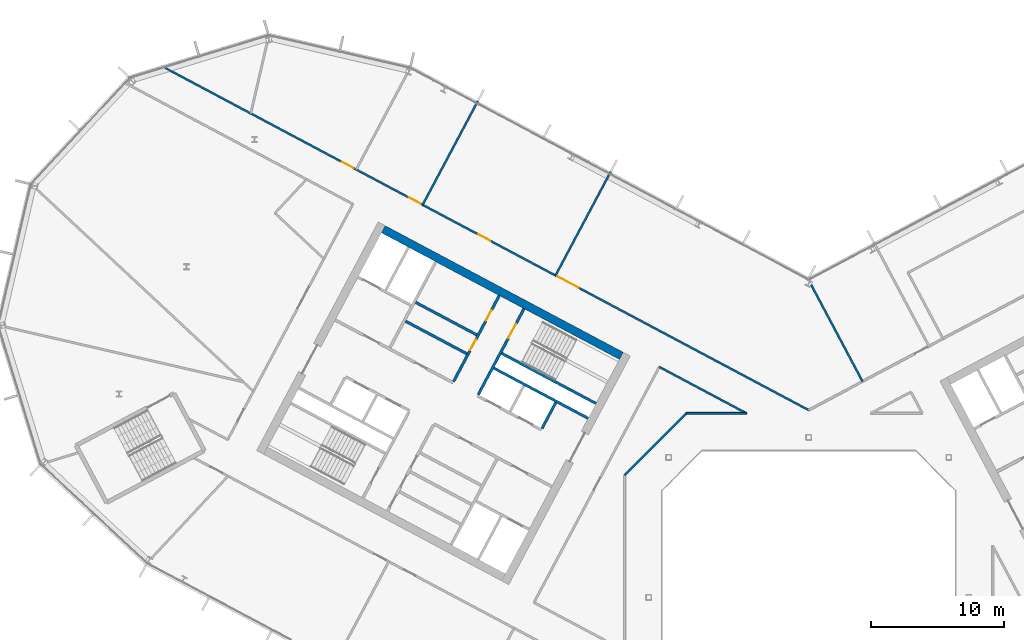
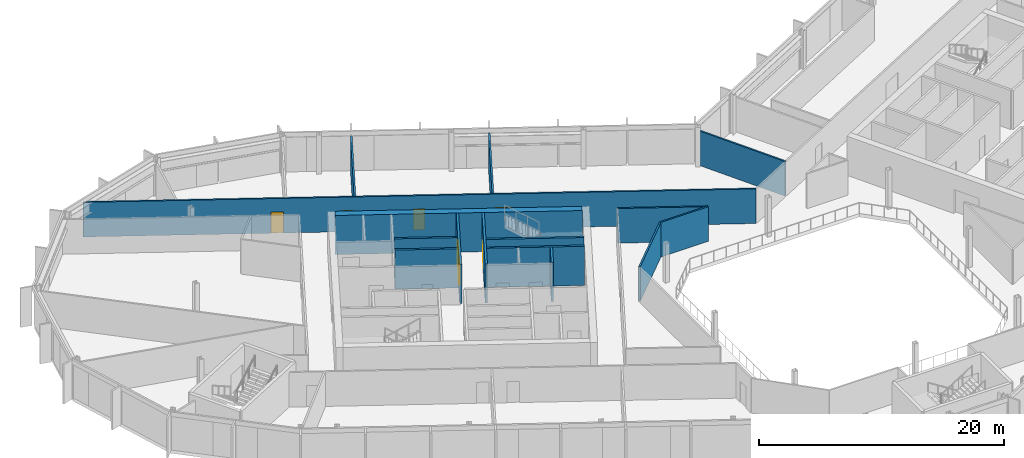
# One storey, part 14 of 26: 15 walls, 7 doors, 7 openings.
"""IFC4 building model written with IfcOpenShell, lengths in metres."""

import ifcopenshell
import ifcopenshell.guid

model = None  # the IFC model being written
_history = None  # IfcOwnerHistory: only IFC2X3 demands one
_inside = {}  # id of a spatial element -> (the spatial element, [elements in it])
_under = {}  # id of a project, library or spatial element -> (it, [spatial elements below it])
_declared = {}  # id of a project -> (the project, [libraries it declares])
_typed = {}  # id of a type object -> (the type object, [elements of that type])
_made_of = {}  # id of a material, layer set ... -> (it, [elements and type objects made of it])


def new_model(schema):
    """Start an empty IFC model of exactly this schema.

    Asked for "IFC4X3", IfcOpenShell would pick the latest addendum, in which some entities
    have other attributes; the version numbers below select the first issue.
    IFC2X3 requires an IfcOwnerHistory on every rooted entity: one is made here for all.
    """
    global model, _history
    if schema == "IFC4X3":
        model = ifcopenshell.file(schema_version=(4, 3, 0, 0))
    else:
        model = ifcopenshell.file(schema=schema)
    _inside.clear()
    _under.clear()
    _declared.clear()
    _typed.clear()
    _made_of.clear()
    _history = None
    if model.schema == "IFC2X3":
        org = make("IfcOrganization", Name="unknown")
        user = make(
            "IfcPersonAndOrganization",
            ThePerson=make("IfcPerson", FamilyName="unknown"),
            TheOrganization=org,
        )
        app = make(
            "IfcApplication",
            ApplicationDeveloper=org,
            Version="unknown",
            ApplicationFullName="unknown",
            ApplicationIdentifier="unknown",
        )
        _history = make(
            "IfcOwnerHistory",
            OwningUser=user,
            OwningApplication=app,
            ChangeAction="ADDED",
            CreationDate=0,
        )
    return model


def make(cls, **values):
    """One entity of the class cls with the attributes given. An attribute that is None is left unset."""
    return model.create_entity(
        cls, **{name: value for name, value in values.items() if value is not None}
    )


def rooted(cls, **values):
    """An entity with a GlobalId (a new one), such as an element, a storey or a relation."""
    return make(cls, GlobalId=ifcopenshell.guid.new(), OwnerHistory=_history, **values)


def si_unit(unit_type, name, prefix=None):
    """IfcSIUnit, for example si_unit("LENGTHUNIT", "METRE", prefix="MILLI")."""
    return make("IfcSIUnit", UnitType=unit_type, Prefix=prefix, Name=name)


def assignment(units):
    """IfcUnitAssignment: the units of a project."""
    return None if units is None else make("IfcUnitAssignment", Units=units)


def point(xyz):
    """IfcCartesianPoint."""
    return None if xyz is None else make("IfcCartesianPoint", Coordinates=xyz)


def direction(xyz):
    """IfcDirection."""
    return None if xyz is None else make("IfcDirection", DirectionRatios=xyz)


def frame(location, z_axis=None, x_axis=None):
    """IfcAxis2Placement3D, a coordinate frame: its origin and axes. An axis left out is left unset."""
    return make(
        "IfcAxis2Placement3D",
        Location=point(location),
        Axis=direction(z_axis),
        RefDirection=direction(x_axis),
    )


def frame_2d(location, x_axis=None):
    """IfcAxis2Placement2D, a coordinate frame in the plane: its origin and x axis."""
    return make(
        "IfcAxis2Placement2D", Location=point(location), RefDirection=direction(x_axis)
    )


def origin():
    """The frame at (0, 0, 0) with its axes left unset."""
    return frame((0.0, 0.0, 0.0))


def place(relative_to, where):
    """IfcLocalPlacement: puts the frame where relative to a parent placement (None: the world)."""
    return make(
        "IfcLocalPlacement", PlacementRelTo=relative_to, RelativePlacement=where
    )


def context(
    kind, dimensions, precision=None, world=None, true_north=None, identifier=None
):
    """IfcGeometricRepresentationContext, for example the 3D "Model" context."""
    return make(
        "IfcGeometricRepresentationContext",
        ContextIdentifier=identifier,
        ContextType=kind,
        CoordinateSpaceDimension=dimensions,
        Precision=precision,
        WorldCoordinateSystem=world,
        TrueNorth=true_north,
    )


def subcontext(parent, identifier, kind, view, scale=None):
    """IfcGeometricRepresentationSubContext, for example "Body" below "Model"."""
    return make(
        "IfcGeometricRepresentationSubContext",
        ContextIdentifier=identifier,
        ContextType=kind,
        ParentContext=parent,
        TargetScale=scale,
        TargetView=view,
    )


def project(units=None, contexts=None):
    """IfcProject with its units and contexts."""
    return rooted(
        "IfcProject",
        Name="project",
        RepresentationContexts=contexts,
        UnitsInContext=assignment(units),
    )


def spatial(cls, under=None, at=None, **own):
    """A site, building, storey or space (cls), placed at a placement, below another one or the project."""
    s = rooted(cls, ObjectPlacement=at, **own)
    if under is not None:
        _under.setdefault(under.id(), (under, []))[1].append(s)
    return s


def profile(cls, at=None, kind="AREA", **sizes):
    """A parametric profile (cls). Its sizes go by their IFC names, for example OverallWidth=200.0."""
    return make(cls, ProfileType=kind, Position=at, **sizes)


def rectangle(**sizes):
    """IfcRectangleProfileDef."""
    return profile("IfcRectangleProfileDef", **sizes)


def extrude(swept, where, along, depth):
    """IfcExtrudedAreaSolid: the profile swept, set in the frame where, extruded along a direction by depth."""
    return make(
        "IfcExtrudedAreaSolid",
        SweptArea=swept,
        Position=where,
        ExtrudedDirection=direction(along),
        Depth=depth,
    )


def shape(context_of_items, identifier, shape_type, items):
    """IfcShapeRepresentation: the items that make up one representation, for example the "Body"."""
    return make(
        "IfcShapeRepresentation",
        ContextOfItems=context_of_items,
        RepresentationIdentifier=identifier,
        RepresentationType=shape_type,
        Items=items,
    )


def material(Name=None, Category=None):
    """IfcMaterial."""
    return make("IfcMaterial", Name=Name, Category=Category)


def layer(
    of_material, thickness, ventilated=None, Name=None, Category=None, Priority=None
):
    """IfcMaterialLayer: one layer of a wall or slab, of a material (None: an air gap)."""
    return make(
        "IfcMaterialLayer",
        Material=of_material,
        LayerThickness=thickness,
        IsVentilated=ventilated,
        Name=Name,
        Category=Category,
        Priority=Priority,
    )


def layer_set(layers, Name=None):
    """IfcMaterialLayerSet."""
    return make("IfcMaterialLayerSet", MaterialLayers=layers, LayerSetName=Name)


def made_of(thing, what):
    """Note that an element or type object is made of a material, layer set ...; save() writes the relation."""
    if what is not None:
        _made_of.setdefault(what.id(), (what, []))[1].append(thing)
    return thing


def type_object(cls, material=None, **own):
    """A type object (cls), such as IfcWallType, which elements share."""
    return made_of(rooted(cls, **own), material)


def element(
    cls,
    number,
    at=None,
    inside=None,
    cuts=None,
    type_object=None,
    material=None,
    context=None,
    identifier="Body",
    shape_type=None,
    held_by="IfcProductDefinitionShape",
    body=None,
    shapes=None,
    **own,
):
    """One element of the class cls, such as IfcWall. Its Tag is "e" and its number.

    at: its placement. inside: the storey or other place that contains it. cuts: it is an
    opening in that element (IfcRelVoidsElement). A single representation is given by context,
    identifier, shape_type and body (its items); several are given by shapes. held_by: the class
    of the entity that holds the representations. save() writes the other relations.
    """
    e = rooted(cls, Tag="e%d" % number, ObjectPlacement=at, **own)
    if body is not None:
        shapes = [shape(context, identifier, shape_type, body)]
    if shapes is not None:
        e.Representation = make(held_by, Representations=shapes)
    if inside is not None:
        _inside.setdefault(inside.id(), (inside, []))[1].append(e)
    if cuts is not None:
        rooted(
            "IfcRelVoidsElement", RelatingBuildingElement=cuts, RelatedOpeningElement=e
        )
    if type_object is not None:
        _typed.setdefault(type_object.id(), (type_object, []))[1].append(e)
    return made_of(e, material)


def fill(opening, filler):
    """IfcRelFillsElement: the door or window that sits in an opening."""
    return rooted(
        "IfcRelFillsElement",
        RelatingOpeningElement=opening,
        RelatedBuildingElement=filler,
    )


def aggregate(whole, parts):
    """IfcRelAggregates: a whole, such as a stair, and the parts it consists of."""
    return rooted("IfcRelAggregates", RelatingObject=whole, RelatedObjects=parts)


def save(model, path):
    """Write the relations noted so far, then the file.

    IfcRelAggregates (storeys below a building ...), IfcRelContainedInSpatialStructure (elements
    in a storey), IfcRelDefinesByType, IfcRelAssociatesMaterial and IfcRelDeclares: one each for
    every whole, place, type object, material and project.
    """
    for whole, parts in _under.values():
        aggregate(whole, parts)
    for where, things in _inside.values():
        rooted(
            "IfcRelContainedInSpatialStructure",
            RelatedElements=things,
            RelatingStructure=where,
        )
    for kind, things in _typed.values():
        rooted("IfcRelDefinesByType", RelatedObjects=things, RelatingType=kind)
    for what, things in _made_of.values():
        rooted("IfcRelAssociatesMaterial", RelatedObjects=things, RelatingMaterial=what)
    for by, libraries in _declared.values():
        rooted("IfcRelDeclares", RelatingContext=by, RelatedDefinitions=libraries)
    model.write(path)


model = new_model("IFC4")

# Units and contexts
model_context = context("Model", 3, precision=1e-05, world=origin(), true_north=direction((0.0, 1.0)))
body_context = subcontext(model_context, "Body", "Model", "MODEL_VIEW")
ifc_project = project(units=[si_unit("LENGTHUNIT", "METRE"), si_unit("AREAUNIT", "SQUARE_METRE"), si_unit("VOLUMEUNIT", "CUBIC_METRE"), si_unit("PLANEANGLEUNIT", "RADIAN"), si_unit("MASSUNIT", "GRAM", prefix="KILO")], contexts=[model_context])

# Site, building, storey
site_placement = place(None, origin())
site = spatial("IfcSite", under=ifc_project, at=site_placement, CompositionType="ELEMENT")
building_placement = place(site_placement, origin())
building = spatial("IfcBuilding", under=site, at=building_placement, Name="Cormorant Relay Tower", CompositionType="ELEMENT")
storey_placement = place(building_placement, frame((0.0, 0.0, 248.10009765625)))
storey = spatial("IfcBuildingStorey", under=building, at=storey_placement, Name="L55", CompositionType="ELEMENT", Elevation=248.10009765625)

# Walls
ifc_material_1 = material(Name="Concrete 40 MPa", Category="concrete")
ifc_layer_1 = layer(ifc_material_1, 0.199951171875)
ifc_layer_set_1 = layer_set([ifc_layer_1], Name="Core internal wall 200")
wall_type_1 = type_object("IfcWallType", Name="Core internal wall 200", PredefinedType="SOLIDWALL", material=ifc_layer_set_1)
wall_1_placement = place(storey_placement, frame((-24.8720703125, 19.680419921875, 0.0), z_axis=(0.0, 0.0, 1.0), x_axis=(-0.882953967957, 0.469459572775, 0.0)))
element("IfcWall", 1, at=wall_1_placement, inside=storey, type_object=wall_type_1, Name="L55 core A shaft and room wall", PredefinedType="SOLIDWALL", context=body_context, shape_type="SweptSolid", body=[
    extrude(rectangle(XDim=5.199951171875, YDim=0.199951171875, at=frame_2d((2.60009765625, 0.0))), origin(), (0.0, 0.0, 1.0), 3.89990234375),
])
ifc_material_2 = material(Name="Concrete 50 MPa", Category="concrete")
ifc_layer_2 = layer(ifc_material_2, 0.199951171875)
ifc_layer_set_2 = layer_set([ifc_layer_2], Name="Core shaft wall 200")
wall_type_2 = type_object("IfcWallType", Name="Core shaft wall 200", PredefinedType="SHEAR", material=ifc_layer_set_2)
wall_2_placement = place(storey_placement, frame((-18.959716796875, 14.611328125, 0.0), z_axis=(0.0, 0.0, 1.0), x_axis=(-0.4694473164, -0.882960484464, 0.0)))
element("IfcWall", 2, at=wall_2_placement, inside=storey, type_object=wall_type_2, Name="L55 core A shaft wall", PredefinedType="SHEAR", context=body_context, shape_type="SweptSolid", body=[
    extrude(rectangle(XDim=2.199951171875, YDim=0.199951171875, at=frame_2d((1.10009765625, 0.0))), origin(), (0.0, 0.0, 1.0), 3.89990234375),
])

# Wall, opening, door
wall_3_placement = place(storey_placement, frame((-21.333251953125, 21.6494140625, 0.0), z_axis=(0.0, 0.0, 1.0), x_axis=(-0.469494272526, -0.882935517501, 0.0)))
wall_3 = element("IfcWall", 3, at=wall_3_placement, inside=storey, type_object=wall_type_2, Name="L55 core A shaft wall", PredefinedType="SHEAR", context=body_context, shape_type="SweptSolid", body=[
    extrude(rectangle(XDim=7.2998046875, YDim=0.199951171875, at=frame_2d((3.64990234375, 0.0))), origin(), (0.0, 0.0, 1.0), 3.89990234375),
])
opening_1_placement = place(wall_3_placement, frame((1.300048828125, 0.0, 0.0)))
opening_1 = element("IfcOpeningElement", 4, at=opening_1_placement, cuts=wall_3, Name="Opening CDB-038", PredefinedType="OPENING", context=body_context, shape_type="SweptSolid", body=[
    extrude(rectangle(XDim=1.199951171875, YDim=2.10009765625, at=frame_2d((0.60009765625, 1.050048828125))), frame((0.0, 0.10986328125, 0.0), z_axis=(0.0, -1.0, 0.0), x_axis=(1.0, 0.0, 0.0)), (0.0, 0.0, 1.0), 0.219970703125),
])
ifc_material_3 = material(Name="Steel fire door", Category="steel")
door_type_1 = type_object("IfcDoorType", Name="Core stair door 1200x2100", OperationType="SINGLE_SWING_LEFT", PredefinedType="DOOR", material=ifc_material_3)
door_1_placement = place(opening_1_placement, origin())
door_1 = element("IfcDoor", 5, at=door_1_placement, inside=storey, type_object=door_type_1, Name="Core stair door 1200x2100", OperationType="SINGLE_SWING_RIGHT", OverallHeight=2.10009765625, OverallWidth=1.199951171875, PredefinedType="DOOR", context=body_context, shape_type="SweptSolid", body=[
    extrude(rectangle(XDim=1.199951171875, YDim=2.10009765625, at=frame_2d((0.60009765625, 1.050048828125))), frame((0.0, 0.02490234375, 0.0), z_axis=(0.0, -1.0, 0.0), x_axis=(1.0, 0.0, 0.0)), (0.0, 0.0, 1.0), 0.050048828125),
])
fill(opening_1, door_1)

# Wall, openings, doors
wall_4_placement = place(storey_placement, frame((-23.1875, 22.635498046875, 0.0), z_axis=(0.0, 0.0, 1.0), x_axis=(-0.469454336211, -0.882956752176, 0.0)))
wall_4 = element("IfcWall", 6, at=wall_4_placement, inside=storey, type_object=wall_type_2, Name="L55 core A shaft wall", PredefinedType="SHEAR", context=body_context, shape_type="SweptSolid", body=[
    extrude(rectangle(XDim=7.300048828125, YDim=0.199951171875, at=frame_2d((3.64990234375, 0.0))), origin(), (0.0, 0.0, 1.0), 3.89990234375),
])
opening_2_placement = place(wall_4_placement, frame((1.25, 0.0, 0.0)))
opening_2 = element("IfcOpeningElement", 7, at=opening_2_placement, cuts=wall_4, Name="Opening CDD-271", PredefinedType="OPENING", context=body_context, shape_type="SweptSolid", body=[
    extrude(rectangle(XDim=0.89990234375, YDim=2.10009765625, at=frame_2d((0.449951171875, 1.050048828125))), frame((0.0, 0.10986328125, 0.0), z_axis=(0.0, -1.0, 0.0), x_axis=(1.0, 0.0, 0.0)), (0.0, 0.0, 1.0), 0.219970703125),
])
opening_3_placement = place(wall_4_placement, frame((3.75, 0.0, 0.0)))
opening_3 = element("IfcOpeningElement", 8, at=opening_3_placement, cuts=wall_4, Name="Opening CDD-303", PredefinedType="OPENING", context=body_context, shape_type="SweptSolid", body=[
    extrude(rectangle(XDim=0.89990234375, YDim=2.10009765625, at=frame_2d((0.449951171875, 1.050048828125))), frame((0.0, 0.10986328125, 0.0), z_axis=(0.0, -1.0, 0.0), x_axis=(1.0, 0.0, 0.0)), (0.0, 0.0, 1.0), 0.219970703125),
])
ifc_material_4 = material(Name="Steel fire door", Category="steel")
door_type_2 = type_object("IfcDoorType", Name="Core room door 900x2100", OperationType="SINGLE_SWING_LEFT", PredefinedType="DOOR", material=ifc_material_4)
door_2_placement = place(opening_2_placement, origin())
door_2 = element("IfcDoor", 9, at=door_2_placement, inside=storey, type_object=door_type_2, Name="Core room door 900x2100", OperationType="SINGLE_SWING_LEFT", OverallHeight=2.10009765625, OverallWidth=0.89990234375, PredefinedType="DOOR", context=body_context, shape_type="SweptSolid", body=[
    extrude(rectangle(XDim=0.89990234375, YDim=2.10009765625, at=frame_2d((0.449951171875, 1.050048828125))), frame((0.0, 0.02490234375, 0.0), z_axis=(0.0, -1.0, 0.0), x_axis=(1.0, 0.0, 0.0)), (0.0, 0.0, 1.0), 0.050048828125),
])
fill(opening_2, door_2)
door_3_placement = place(opening_3_placement, origin())
door_3 = element("IfcDoor", 10, at=door_3_placement, inside=storey, type_object=door_type_2, Name="Core room door 900x2100", OperationType="SINGLE_SWING_LEFT", OverallHeight=2.10009765625, OverallWidth=0.89990234375, PredefinedType="DOOR", context=body_context, shape_type="SweptSolid", body=[
    extrude(rectangle(XDim=0.89990234375, YDim=2.10009765625, at=frame_2d((0.449951171875, 1.050048828125))), frame((0.0, 0.02490234375, 0.0), z_axis=(0.0, -1.0, 0.0), x_axis=(1.0, 0.0, 0.0)), (0.0, 0.0, 1.0), 0.050048828125),
])
fill(opening_3, door_3)

# Walls
wall_5_placement = place(storey_placement, frame((-15.94189453125, 14.53564453125, 0.0), z_axis=(0.0, 0.0, 1.0), x_axis=(-0.882946947542, 0.469472776449, 0.0)))
element("IfcWall", 11, at=wall_5_placement, inside=storey, type_object=wall_type_2, Name="L55 core A shaft wall", PredefinedType="SHEAR", context=body_context, shape_type="SweptSolid", body=[
    extrude(rectangle(XDim=8.000244140625, YDim=0.199951171875, at=frame_2d((4.0, 0.0))), origin(), (0.0, 0.0, 1.0), 3.89990234375),
])
wall_6_placement = place(storey_placement, frame((-16.52880859375, 13.43212890625, 0.0), z_axis=(0.0, 0.0, 1.0), x_axis=(-0.88295287151, 0.469461634952, 0.0)))
element("IfcWall", 12, at=wall_6_placement, inside=storey, type_object=wall_type_2, Name="L55 core A shaft wall", PredefinedType="SHEAR", context=body_context, shape_type="SweptSolid", body=[
    extrude(rectangle(XDim=7.999755859375, YDim=0.199951171875, at=frame_2d((4.0, 0.0))), origin(), (0.0, 0.0, 1.0), 3.89990234375),
])
wall_7_placement = place(storey_placement, frame((-25.623046875, 18.267578125, 0.0), z_axis=(0.0, 0.0, 1.0), x_axis=(-0.882953967957, 0.469459572775, 0.0)))
element("IfcWall", 13, at=wall_7_placement, inside=storey, type_object=wall_type_2, Name="L55 core A shaft wall", PredefinedType="SHEAR", context=body_context, shape_type="SweptSolid", body=[
    extrude(rectangle(XDim=5.199951171875, YDim=0.199951171875, at=frame_2d((2.60009765625, 0.0))), origin(), (0.0, 0.0, 1.0), 3.89990234375),
])
ifc_material_5 = material(Name="Concrete 50 MPa", Category="concrete")
ifc_layer_3 = layer(ifc_material_5, 0.60009765625)
ifc_layer_set_3 = layer_set([ifc_layer_3], Name="Core wall 600")
wall_type_3 = type_object("IfcWallType", Name="Core wall 600", PredefinedType="SHEAR", material=ifc_layer_set_3)
wall_8_placement = place(storey_placement, frame((-14.04052734375, 18.111572265625, 0.0), z_axis=(0.0, 0.0, 1.0), x_axis=(-0.882947755831, 0.46947125628, 0.0)))
element("IfcWall", 14, at=wall_8_placement, inside=storey, type_object=wall_type_3, Name="L55 core A wall", PredefinedType="SHEAR", context=body_context, shape_type="SweptSolid", body=[
    extrude(rectangle(XDim=20.2001953125, YDim=0.60009765625, at=frame_2d((10.10009765625, 0.0))), origin(), (0.0, 0.0, 1.0), 3.89990234375),
])

# Wall, openings, doors
ifc_material_6 = material(Name="Gypsum board fire partition")
ifc_layer_4 = layer(ifc_material_6, 0.14990234375)
ifc_layer_set_4 = layer_set([ifc_layer_4], Name="Corridor partition 150 EI 60")
wall_type_4 = type_object("IfcWallType", Name="Corridor partition 150 EI 60", PredefinedType="PARTITIONING", material=ifc_layer_set_4)
wall_9_placement = place(storey_placement, frame((-48.541015625, 39.85400390625, 0.0), z_axis=(0.0, 0.0, 1.0), x_axis=(0.882945008423, -0.469476423372, 0.0)))
wall_9 = element("IfcWall", 15, at=wall_9_placement, inside=storey, type_object=wall_type_4, Name="wall/L55/part/010", PredefinedType="PARTITIONING", context=body_context, shape_type="SweptSolid", body=[
    extrude(rectangle(XDim=54.976318359375, YDim=0.14990234375, at=frame_2d((27.48828125, 0.0))), origin(), (0.0, 0.0, 1.0), 3.449951171875),
])
opening_4_placement = place(wall_9_placement, frame((33.64990234375, 0.0, 0.0)))
opening_4 = element("IfcOpeningElement", 16, at=opening_4_placement, cuts=wall_9, Name="Opening DD-033", PredefinedType="OPENING", context=body_context, shape_type="SweptSolid", body=[
    extrude(rectangle(XDim=1.800048828125, YDim=2.10009765625, at=frame_2d((0.89990234375, 1.050048828125))), frame((0.0, 0.0849609375, 0.0), z_axis=(0.0, -1.0, 0.0), x_axis=(1.0, 0.0, 0.0)), (0.0, 0.0, 1.0), 0.169921875),
])
opening_5_placement = place(wall_9_placement, frame((26.949951171875, 0.0, 0.0)))
opening_5 = element("IfcOpeningElement", 17, at=opening_5_placement, cuts=wall_9, Name="Opening DS-183", PredefinedType="OPENING", context=body_context, shape_type="SweptSolid", body=[
    extrude(rectangle(XDim=1.0, YDim=2.10009765625, at=frame_2d((0.5, 1.050048828125))), frame((0.0, 0.0849609375, 0.0), z_axis=(0.0, -1.0, 0.0), x_axis=(1.0, 0.0, 0.0)), (0.0, 0.0, 1.0), 0.169921875),
])
opening_6_placement = place(wall_9_placement, frame((21.050048828125, 0.0, 0.0)))
opening_6 = element("IfcOpeningElement", 18, at=opening_6_placement, cuts=wall_9, Name="Opening DS-184", PredefinedType="OPENING", context=body_context, shape_type="SweptSolid", body=[
    extrude(rectangle(XDim=1.0, YDim=2.10009765625, at=frame_2d((0.5, 1.050048828125))), frame((0.0, 0.0849609375, 0.0), z_axis=(0.0, -1.0, 0.0), x_axis=(1.0, 0.0, 0.0)), (0.0, 0.0, 1.0), 0.169921875),
])
opening_7_placement = place(wall_9_placement, frame((15.35009765625, 0.0, 0.0)))
opening_7 = element("IfcOpeningElement", 19, at=opening_7_placement, cuts=wall_9, Name="Opening DS-185", PredefinedType="OPENING", context=body_context, shape_type="SweptSolid", body=[
    extrude(rectangle(XDim=1.0, YDim=2.10009765625, at=frame_2d((0.5, 1.050048828125))), frame((0.0, 0.0849609375, 0.0), z_axis=(0.0, -1.0, 0.0), x_axis=(1.0, 0.0, 0.0)), (0.0, 0.0, 1.0), 0.169921875),
])
ifc_material_7 = material(Name="Timber door leaf", Category="wood")
door_type_3 = type_object("IfcDoorType", Name="Suite door 1000x2100", OperationType="SINGLE_SWING_LEFT", PredefinedType="DOOR", material=ifc_material_7)
door_4_placement = place(opening_5_placement, origin())
door_4 = element("IfcDoor", 20, at=door_4_placement, inside=storey, type_object=door_type_3, Name="door/L55/014", OperationType="SINGLE_SWING_RIGHT", OverallHeight=2.10009765625, OverallWidth=1.0, PredefinedType="DOOR", context=body_context, shape_type="SweptSolid", body=[
    extrude(rectangle(XDim=1.0, YDim=2.10009765625, at=frame_2d((0.5, 1.050048828125))), frame((0.0, 0.02490234375, 0.0), z_axis=(0.0, -1.0, 0.0), x_axis=(1.0, 0.0, 0.0)), (0.0, 0.0, 1.0), 0.050048828125),
])
fill(opening_5, door_4)
door_5_placement = place(opening_6_placement, origin())
door_5 = element("IfcDoor", 21, at=door_5_placement, inside=storey, type_object=door_type_3, Name="door/L55/015", OperationType="SINGLE_SWING_RIGHT", OverallHeight=2.10009765625, OverallWidth=1.0, PredefinedType="DOOR", context=body_context, shape_type="SweptSolid", body=[
    extrude(rectangle(XDim=1.0, YDim=2.10009765625, at=frame_2d((0.5, 1.050048828125))), frame((0.0, 0.02490234375, 0.0), z_axis=(0.0, -1.0, 0.0), x_axis=(1.0, 0.0, 0.0)), (0.0, 0.0, 1.0), 0.050048828125),
])
fill(opening_6, door_5)
door_6_placement = place(opening_7_placement, origin())
door_6 = element("IfcDoor", 22, at=door_6_placement, inside=storey, type_object=door_type_3, Name="door/L55/016", OperationType="SINGLE_SWING_RIGHT", OverallHeight=2.10009765625, OverallWidth=1.0, PredefinedType="DOOR", context=body_context, shape_type="SweptSolid", body=[
    extrude(rectangle(XDim=1.0, YDim=2.10009765625, at=frame_2d((0.5, 1.050048828125))), frame((0.0, 0.02490234375, 0.0), z_axis=(0.0, -1.0, 0.0), x_axis=(1.0, 0.0, 0.0)), (0.0, 0.0, 1.0), 0.050048828125),
])
fill(opening_7, door_6)
ifc_material_8 = material(Name="Timber door leaf", Category="wood")
door_type_4 = type_object("IfcDoorType", Name="Suite double door 1800x2100", OperationType="DOUBLE_DOOR_SINGLE_SWING", PredefinedType="DOOR", material=ifc_material_8)
door_7_placement = place(opening_4_placement, origin())
door_7 = element("IfcDoor", 23, at=door_7_placement, inside=storey, type_object=door_type_4, Name="door/L55/013", OperationType="DOUBLE_DOOR_SINGLE_SWING", OverallHeight=2.10009765625, OverallWidth=1.800048828125, PredefinedType="DOOR", context=body_context, shape_type="SweptSolid", body=[
    extrude(rectangle(XDim=1.800048828125, YDim=2.10009765625, at=frame_2d((0.89990234375, 1.050048828125))), frame((0.0, 0.02490234375, 0.0), z_axis=(0.0, -1.0, 0.0), x_axis=(1.0, 0.0, 0.0)), (0.0, 0.0, 1.0), 0.050048828125),
])
fill(opening_4, door_7)

# Walls
wall_10_placement = place(storey_placement, frame((-11.197998046875, 17.280029296875, 0.0), z_axis=(0.0, 0.0, 1.0), x_axis=(0.88294849999, -0.469469856717, 0.0)))
element("IfcWall", 24, at=wall_10_placement, inside=storey, type_object=wall_type_4, Name="wall/L55/part/041", PredefinedType="PARTITIONING", context=body_context, shape_type="SweptSolid", body=[
    extrude(rectangle(XDim=7.41259765625, YDim=0.14990234375, at=frame_2d((3.706298828125, 0.0))), origin(), (0.0, 0.0, 1.0), 3.449951171875),
])
wall_11_placement = place(storey_placement, frame((-4.653076171875, 13.800048828125, 0.0), z_axis=(0.0, 0.0, 1.0), x_axis=(-1.0, 0.0, 0.0)))
element("IfcWall", 25, at=wall_11_placement, inside=storey, type_object=wall_type_4, Name="wall/L55/part/042", PredefinedType="PARTITIONING", context=body_context, shape_type="SweptSolid", body=[
    extrude(rectangle(XDim=4.5068359375, YDim=0.14990234375, at=frame_2d((2.25341796875, 0.0))), origin(), (0.0, 0.0, 1.0), 3.449951171875),
])
wall_12_placement = place(storey_placement, frame((-9.159912109375, 13.800048828125, 0.0), z_axis=(0.0, 0.0, 1.0), x_axis=(-0.707106781187, -0.707106781187, 0.0)))
element("IfcWall", 26, at=wall_12_placement, inside=storey, type_object=wall_type_4, Name="wall/L55/part/043", PredefinedType="PARTITIONING", context=body_context, shape_type="SweptSolid", body=[
    extrude(rectangle(XDim=6.562255859375, YDim=0.14990234375, at=frame_2d((3.28125, 0.0))), origin(), (0.0, 0.0, 1.0), 3.449951171875),
])
ifc_material_9 = material(Name="Gypsum board partition")
ifc_layer_5 = layer(ifc_material_9, 0.14990234375)
ifc_layer_set_5 = layer_set([ifc_layer_5], Name="Tenant partition 150")
wall_type_5 = type_object("IfcWallType", Name="Tenant partition 150", PredefinedType="PARTITIONING", material=ifc_layer_set_5)
wall_13_placement = place(storey_placement, frame((-24.800048828125, 37.197021484375, 0.0), z_axis=(0.0, 0.0, 1.0), x_axis=(-0.469510830369, -0.882926712794, 0.0)))
element("IfcWall", 27, at=wall_13_placement, inside=storey, type_object=wall_type_5, Name="wall/L55/part/019", PredefinedType="PARTITIONING", context=body_context, shape_type="SweptSolid", body=[
    extrude(rectangle(XDim=8.80029296875, YDim=0.14990234375, at=frame_2d((4.400146484375, 0.0))), origin(), (0.0, 0.0, 1.0), 3.449951171875),
])
wall_14_placement = place(storey_placement, frame((-14.843994140625, 31.903076171875, 0.0), z_axis=(0.0, 0.0, 1.0), x_axis=(-0.469359422187, -0.883007209939, 0.0)))
element("IfcWall", 28, at=wall_14_placement, inside=storey, type_object=wall_type_5, Name="wall/L55/part/020", PredefinedType="PARTITIONING", context=body_context, shape_type="SweptSolid", body=[
    extrude(rectangle(XDim=8.799560546875, YDim=0.14990234375, at=frame_2d((4.39990234375, 0.0))), origin(), (0.0, 0.0, 1.0), 3.449951171875),
])
wall_15_placement = place(storey_placement, frame((0.18310546875, 23.43994140625, 0.0), z_axis=(0.0, 0.0, 1.0), x_axis=(0.469529135479, -0.882916978507, 0.0)))
element("IfcWall", 29, at=wall_15_placement, inside=storey, type_object=wall_type_5, Name="wall/L55/part/021", PredefinedType="PARTITIONING", context=body_context, shape_type="SweptSolid", body=[
    extrude(rectangle(XDim=8.210205078125, YDim=0.14990234375, at=frame_2d((4.10498046875, 0.0))), origin(), (0.0, 0.0, 1.0), 3.449951171875),
])

save(model, "model.ifc")
